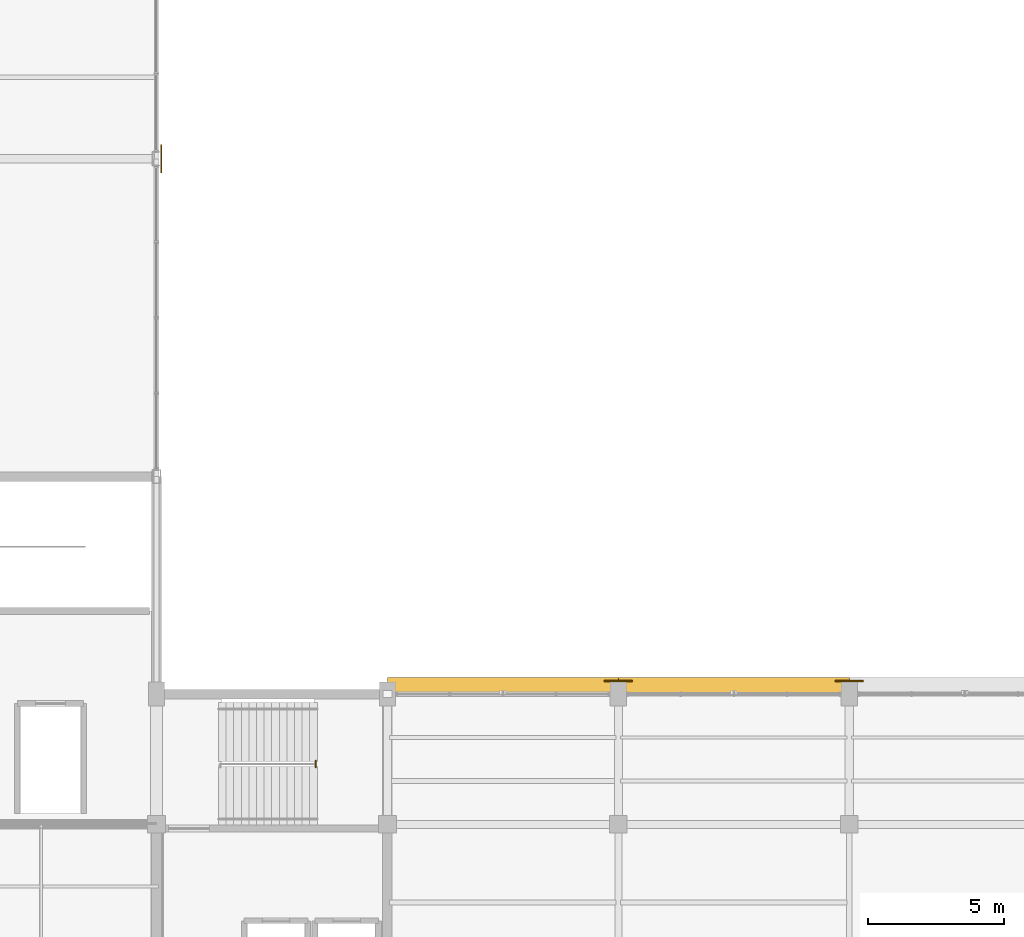
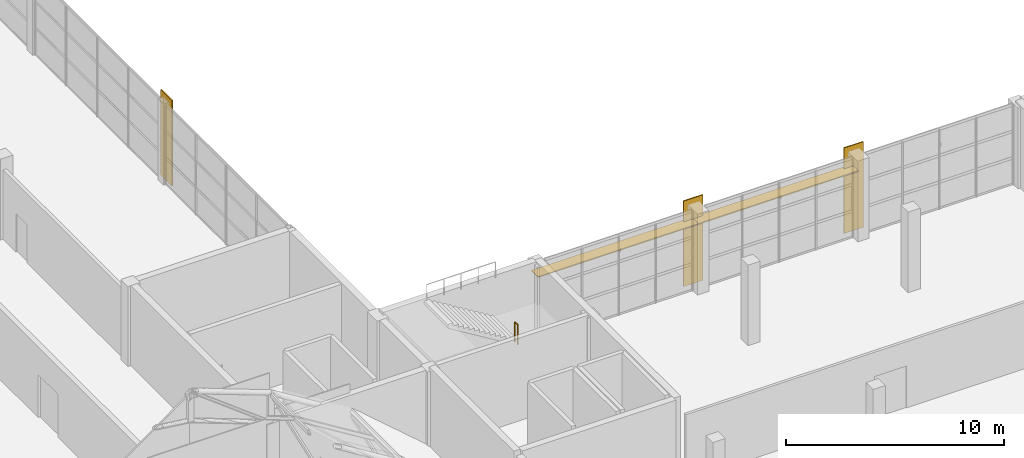
# One storey, part 79 of 86: 3 coverings, 2 shading devices, 1 railing.
"""IFC4 building model written with IfcOpenShell, lengths in metres."""

from ifc_helpers import new_model, si_unit, direction, frame, origin, origin_2d, place, context, subcontext, project, spatial, rectangle, hollow_rectangle, circle, extrude, material, layer, layer_set, material_profile, profile_set, type_object, element, save


model = new_model("IFC4")

# Units and contexts
model_context = context("Model", 3, precision=1e-05, world=origin(), true_north=direction((0.0, 1.0)))
body_context = subcontext(model_context, "Body", "Model", "MODEL_VIEW")
ifc_project = project(units=[si_unit("LENGTHUNIT", "METRE"), si_unit("AREAUNIT", "SQUARE_METRE"), si_unit("VOLUMEUNIT", "CUBIC_METRE"), si_unit("PLANEANGLEUNIT", "RADIAN"), si_unit("MASSUNIT", "GRAM", prefix="KILO")], contexts=[model_context])

# Site, building, storey
site_placement = place(None, origin())
site = spatial("IfcSite", under=ifc_project, at=site_placement, CompositionType="ELEMENT")
building_placement = place(site_placement, origin())
building = spatial("IfcBuilding", under=site, at=building_placement, Name="Solvikara Media Centre", CompositionType="ELEMENT")
storey_placement = place(building_placement, frame((0.0, 0.0, 15.0)))
storey = spatial("IfcBuildingStorey", under=building, at=storey_placement, Name="L03", CompositionType="ELEMENT", Elevation=15.0)

# Coverings
ifc_material_1 = material(Name="GFRC white mineral architectural rainscreen panel")
ifc_layer = layer(ifc_material_1, 0.050048828125)
ifc_layer_set = layer_set([ifc_layer], Name="GFRC white mineral architectural rainscreen panel")
covering_type = type_object("IfcCoveringType", Name="CV-04", PredefinedType="CLADDING", material=ifc_layer_set)
for number, where, z_axis, x_axis, name in (
    (1, (34.175048828125, 56.5, 0.0), (0.0, 0.0, 1.0), (0.0, 1.0, 0.0), "PIL-L03-072"),
    (2, (51.0, 37.27490234375, 0.0), (0.0, 0.0, 1.0), (-1.0, 0.0, 0.0), "PIL-L03-126"),
    (3, (59.5, 37.27490234375, 0.0), (0.0, 0.0, 1.0), (-1.0, 0.0, 0.0), "PIL-L03-138"),
):
    element("IfcCovering", number, at=place(storey_placement, frame(where, z_axis=z_axis, x_axis=x_axis)), inside=storey, type_object=covering_type, Name=name, PredefinedType="CLADDING", context=body_context, shape_type="SweptSolid", body=[
        extrude(rectangle(XDim=1.0400390625, YDim=0.050048828125, at=origin_2d()), origin(), (0.0, 0.0, 1.0), 4.800048828125),
    ])

# Railing
ifc_material_2 = material(Name="Steel S355JR", Category="steel")
railing_type = type_object("IfcRailingType", Name="GR-02", PredefinedType="BALUSTRADE", material=ifc_material_2)
railing_placement = place(storey_placement, frame((39.860107421875, 34.10009765625, 2.39990234375)))
element("IfcRailing", 4, at=railing_placement, inside=storey, type_object=railing_type, Name="GR-C2-L03-M", PredefinedType="BALUSTRADE", context=body_context, shape_type="SweptSolid", body=[
    extrude(circle(Radius=0.02392578125, at=origin_2d()), frame((0.0, 0.0, 1.09619140625), z_axis=(0.0, 1.0, 0.0), x_axis=(-1.0, 0.0, 0.0)), (0.0, 0.0, 1.0), 0.25),
    extrude(circle(Radius=0.02099609375, at=origin_2d()), origin(), (0.0, 0.0, 1.0), 1.072021484375),
    extrude(circle(Radius=0.02099609375, at=origin_2d()), frame((0.0, 0.25, 0.0)), (0.0, 0.0, 1.0), 1.072021484375),
])

# Shading devices
ifc_material_3 = material(Name="Anodised aluminium EN AW-6063", Category="aluminium")
ifc_material_profile = material_profile(ifc_material_3, hollow_rectangle(XDim=0.60009765625, YDim=0.06005859375, WallThickness=0.00341796875, at=origin_2d()), Name="ALU-LOUVRE 60x600x3.5")
ifc_profile_set = profile_set([ifc_material_profile], Name="Anodised aluminium EN AW-6063")
shading_device_type = type_object("IfcShadingDeviceType", Name="SH-02", PredefinedType="JALOUSIE", material=ifc_profile_set)
for number, where, z_axis, x_axis, name in (
    (5, (42.5, 37.10009765625, 3.60009765625), (1.0, 0.0, 0.0), (0.0, 1.0, 0.0), "LVR-L03-010"),
    (6, (51.0, 37.10009765625, 3.60009765625), (1.0, 0.0, 0.0), (0.0, 1.0, 0.0), "LVR-L03-011"),
):
    element("IfcShadingDevice", number, at=place(storey_placement, frame(where, z_axis=z_axis, x_axis=x_axis)), inside=storey, type_object=shading_device_type, Name=name, PredefinedType="JALOUSIE", context=body_context, shape_type="SweptSolid", body=[
        extrude(hollow_rectangle(XDim=0.60009765625, YDim=0.06005859375, WallThickness=0.00341796875, at=origin_2d()), origin(), (0.0, 0.0, 1.0), 8.5),
    ])

save(model, "model.ifc")
